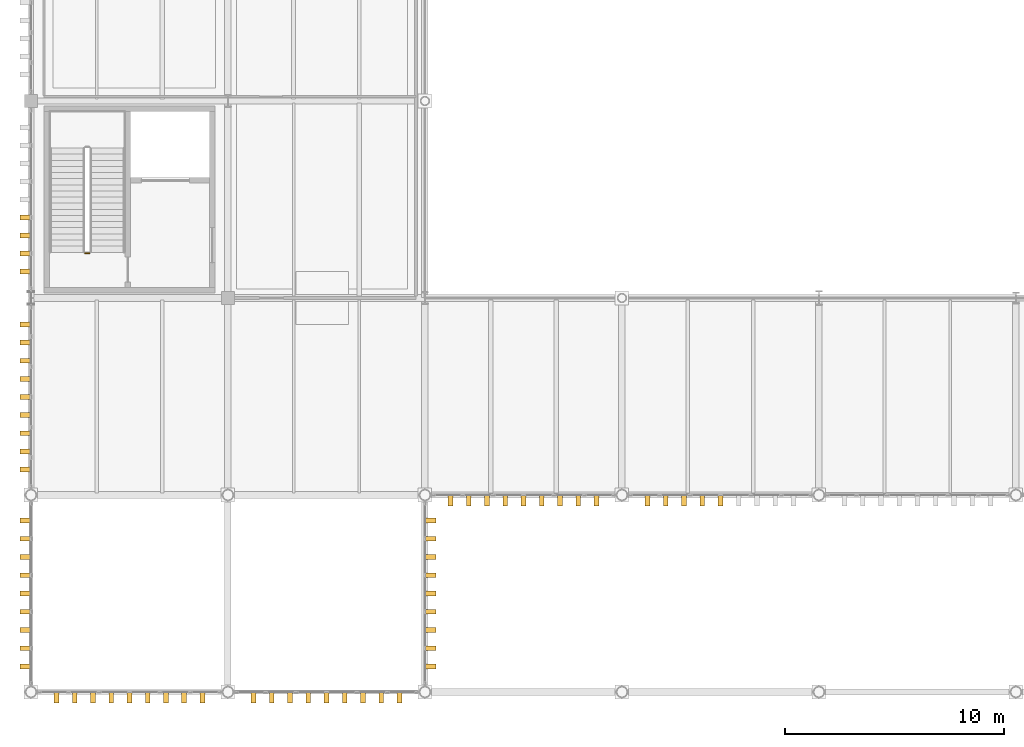
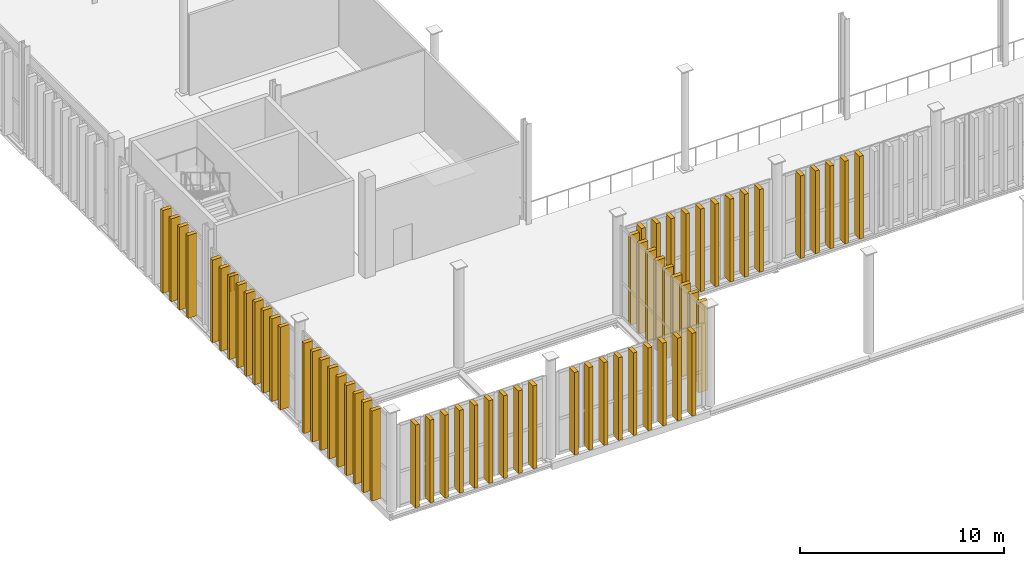
# One storey, part 186 of 211: 63 shading devices, 1 railing.
"""IFC4 building model written with IfcOpenShell, lengths in metres."""

from ifc_helpers import new_model, si_unit, direction, frame, origin, origin_2d, place, context, subcontext, project, spatial, rectangle, circle, extrude, material, type_object, element, save


model = new_model("IFC4")

# Units and contexts
model_context = context("Model", 3, precision=1e-05, world=origin(), true_north=direction((0.0, 1.0)))
body_context = subcontext(model_context, "Body", "Model", "MODEL_VIEW")
ifc_project = project(units=[si_unit("LENGTHUNIT", "METRE"), si_unit("AREAUNIT", "SQUARE_METRE"), si_unit("VOLUMEUNIT", "CUBIC_METRE"), si_unit("PLANEANGLEUNIT", "RADIAN"), si_unit("MASSUNIT", "GRAM", prefix="KILO")], contexts=[model_context])

# Site, building, storey
site_placement = place(None, origin())
site = spatial("IfcSite", under=ifc_project, at=site_placement, CompositionType="ELEMENT")
building_placement = place(site_placement, origin())
building = spatial("IfcBuilding", under=site, at=building_placement, Name="Barlavento Convention Centre", CompositionType="ELEMENT")
storey_placement = place(building_placement, frame((0.0, 0.0, 6.0)))
storey = spatial("IfcBuildingStorey", under=building, at=storey_placement, Name="L01", CompositionType="ELEMENT", Elevation=6.0)

# Railing
ifc_material_1 = material(Name="Stainless steel and laminated glass balustrade", Category="steel")
railing_type = type_object("IfcRailingType", Name="ARC-RAL-BAL-1100", PredefinedType="BALUSTRADE", material=ifc_material_1)
railing_placement = place(storey_placement, frame((2.669921875, 20.0400390625, 0.0)))
element("IfcRailing", 1, at=railing_placement, inside=storey, type_object=railing_type, Name="L01 ST01 stair guard 4", PredefinedType="BALUSTRADE", context=body_context, shape_type="SweptSolid", body=[
    extrude(circle(Radius=0.02392578125, at=origin_2d()), frame((0.0, 0.0, 1.076171875), z_axis=(-1.0, 0.0, 0.0), x_axis=(0.0, -1.0, 0.0)), (0.0, 0.0, 1.0), 0.199951171875),
    extrude(circle(Radius=0.02099609375, at=origin_2d()), origin(), (0.0, 0.0, 1.0), 1.052001953125),
    extrude(circle(Radius=0.02099609375, at=origin_2d()), frame((-0.199951171875, 0.0, 0.0)), (0.0, 0.0, 1.0), 1.052001953125),
])

# Shading devices
ifc_material_2 = material(Name="PVDF white extruded aluminium", Category="aluminium")
shading_device_type = type_object("IfcShadingDeviceType", Name="ARC-SHD-FIN-480", PredefinedType="USERDEFINED", material=ifc_material_2)
for number, where, z_axis, x_axis, name in (
    (2, (1.167236328125, -0.239990234375, 0.0), (0.0, 0.0, 1.0), (1.0, 0.0, 0.0), "White vertical solar shading fin VF01"),
    (3, (2.00048828125, -0.239990234375, 0.0), (0.0, 0.0, 1.0), (1.0, 0.0, 0.0), "White vertical solar shading fin VF01"),
    (4, (2.83349609375, -0.239990234375, 0.0), (0.0, 0.0, 1.0), (1.0, 0.0, 0.0), "White vertical solar shading fin VF01"),
    (5, (3.666748046875, -0.239990234375, 0.0), (0.0, 0.0, 1.0), (1.0, 0.0, 0.0), "White vertical solar shading fin VF01"),
    (6, (4.5, -0.239990234375, 0.0), (0.0, 0.0, 1.0), (1.0, 0.0, 0.0), "White vertical solar shading fin VF01"),
    (7, (5.333251953125, -0.239990234375, 0.0), (0.0, 0.0, 1.0), (1.0, 0.0, 0.0), "White vertical solar shading fin VF01"),
    (8, (6.16650390625, -0.239990234375, 0.0), (0.0, 0.0, 1.0), (1.0, 0.0, 0.0), "White vertical solar shading fin VF01"),
    (9, (6.99951171875, -0.239990234375, 0.0), (0.0, 0.0, 1.0), (1.0, 0.0, 0.0), "White vertical solar shading fin VF01"),
    (10, (7.832763671875, -0.239990234375, 0.0), (0.0, 0.0, 1.0), (1.0, 0.0, 0.0), "White vertical solar shading fin VF01"),
    (11, (10.167236328125, -0.239990234375, 0.0), (0.0, 0.0, 1.0), (1.0, 0.0, 0.0), "White vertical solar shading fin VF01"),
    (12, (11.00048828125, -0.239990234375, 0.0), (0.0, 0.0, 1.0), (1.0, 0.0, 0.0), "White vertical solar shading fin VF01"),
    (13, (11.83349609375, -0.239990234375, 0.0), (0.0, 0.0, 1.0), (1.0, 0.0, 0.0), "White vertical solar shading fin VF01"),
    (14, (12.666748046875, -0.239990234375, 0.0), (0.0, 0.0, 1.0), (1.0, 0.0, 0.0), "White vertical solar shading fin VF01"),
    (15, (13.5, -0.239990234375, 0.0), (0.0, 0.0, 1.0), (1.0, 0.0, 0.0), "White vertical solar shading fin VF01"),
    (16, (14.333251953125, -0.239990234375, 0.0), (0.0, 0.0, 1.0), (1.0, 0.0, 0.0), "White vertical solar shading fin VF01"),
    (17, (15.16650390625, -0.239990234375, 0.0), (0.0, 0.0, 1.0), (1.0, 0.0, 0.0), "White vertical solar shading fin VF01"),
    (18, (15.99951171875, -0.239990234375, 0.0), (0.0, 0.0, 1.0), (1.0, 0.0, 0.0), "White vertical solar shading fin VF01"),
    (19, (16.832763671875, -0.239990234375, 0.0), (0.0, 0.0, 1.0), (1.0, 0.0, 0.0), "White vertical solar shading fin VF01"),
    (20, (19.167236328125, 8.760009765625, 0.0), (0.0, 0.0, 1.0), (1.0, 0.0, 0.0), "White vertical solar shading fin VF01"),
    (21, (20.00048828125, 8.760009765625, 0.0), (0.0, 0.0, 1.0), (1.0, 0.0, 0.0), "White vertical solar shading fin VF01"),
    (22, (20.83349609375, 8.760009765625, 0.0), (0.0, 0.0, 1.0), (1.0, 0.0, 0.0), "White vertical solar shading fin VF01"),
    (23, (21.666748046875, 8.760009765625, 0.0), (0.0, 0.0, 1.0), (1.0, 0.0, 0.0), "White vertical solar shading fin VF01"),
    (24, (22.5, 8.760009765625, 0.0), (0.0, 0.0, 1.0), (1.0, 0.0, 0.0), "White vertical solar shading fin VF01"),
    (25, (23.333251953125, 8.760009765625, 0.0), (0.0, 0.0, 1.0), (1.0, 0.0, 0.0), "White vertical solar shading fin VF01"),
    (26, (24.16650390625, 8.760009765625, 0.0), (0.0, 0.0, 1.0), (1.0, 0.0, 0.0), "White vertical solar shading fin VF01"),
    (27, (24.99951171875, 8.760009765625, 0.0), (0.0, 0.0, 1.0), (1.0, 0.0, 0.0), "White vertical solar shading fin VF01"),
    (28, (25.832763671875, 8.760009765625, 0.0), (0.0, 0.0, 1.0), (1.0, 0.0, 0.0), "White vertical solar shading fin VF01"),
    (29, (28.167236328125, 8.760009765625, 0.0), (0.0, 0.0, 1.0), (1.0, 0.0, 0.0), "White vertical solar shading fin VF01"),
    (30, (29.00048828125, 8.760009765625, 0.0), (0.0, 0.0, 1.0), (1.0, 0.0, 0.0), "White vertical solar shading fin VF01"),
    (31, (29.83349609375, 8.760009765625, 0.0), (0.0, 0.0, 1.0), (1.0, 0.0, 0.0), "White vertical solar shading fin VF01"),
    (32, (30.666748046875, 8.760009765625, 0.0), (0.0, 0.0, 1.0), (1.0, 0.0, 0.0), "White vertical solar shading fin VF01"),
    (33, (31.5, 8.760009765625, 0.0), (0.0, 0.0, 1.0), (1.0, 0.0, 0.0), "White vertical solar shading fin VF01"),
    (34, (-0.239990234375, 10.16259765625, 0.0), (0.0, 0.0, 1.0), (0.0, 1.0, 0.0), "White vertical solar shading fin VF01"),
    (35, (-0.239990234375, 10.9912109375, 0.0), (0.0, 0.0, 1.0), (0.0, 1.0, 0.0), "White vertical solar shading fin VF01"),
    (36, (-0.239990234375, 11.81982421875, 0.0), (0.0, 0.0, 1.0), (0.0, 1.0, 0.0), "White vertical solar shading fin VF01"),
    (37, (-0.239990234375, 12.6484375, 0.0), (0.0, 0.0, 1.0), (0.0, 1.0, 0.0), "White vertical solar shading fin VF01"),
    (38, (-0.239990234375, 13.47705078125, 0.0), (0.0, 0.0, 1.0), (0.0, 1.0, 0.0), "White vertical solar shading fin VF01"),
    (39, (-0.239990234375, 14.3056640625, 0.0), (0.0, 0.0, 1.0), (0.0, 1.0, 0.0), "White vertical solar shading fin VF01"),
    (40, (-0.239990234375, 15.13427734375, 0.0), (0.0, 0.0, 1.0), (0.0, 1.0, 0.0), "White vertical solar shading fin VF01"),
    (41, (-0.239990234375, 15.962890625, 0.0), (0.0, 0.0, 1.0), (0.0, 1.0, 0.0), "White vertical solar shading fin VF01"),
    (42, (-0.239990234375, 16.79150390625, 0.0), (0.0, 0.0, 1.0), (0.0, 1.0, 0.0), "White vertical solar shading fin VF01"),
    (43, (-0.239990234375, 19.2041015625, 0.0), (0.0, 0.0, 1.0), (0.0, 1.0, 0.0), "White vertical solar shading fin VF01"),
    (44, (-0.239990234375, 20.028076171875, 0.0), (0.0, 0.0, 1.0), (0.0, 1.0, 0.0), "White vertical solar shading fin VF01"),
    (45, (-0.239990234375, 20.85205078125, 0.0), (0.0, 0.0, 1.0), (0.0, 1.0, 0.0), "White vertical solar shading fin VF01"),
    (46, (-0.239990234375, 21.676025390625, 0.0), (0.0, 0.0, 1.0), (0.0, 1.0, 0.0), "White vertical solar shading fin VF01"),
):
    element("IfcShadingDevice", number, at=place(storey_placement, frame(where, z_axis=z_axis, x_axis=x_axis)), inside=storey, type_object=shading_device_type, Name=name, ObjectType="FIN", PredefinedType="USERDEFINED", context=body_context, shape_type="SweptSolid", body=[
        extrude(rectangle(XDim=0.219970703125, YDim=0.52001953125, at=origin_2d()), origin(), (0.0, 0.0, 1.0), 4.949951171875),
    ])
for number, where, z_axis, x_axis, name in (
    (47, (-0.239990234375, 1.167236328125, 0.0), (0.0, 0.0, 1.0), (0.0, 1.0, 0.0), "White vertical solar shading fin VF01"),
    (48, (-0.239990234375, 2.00048828125, 0.0), (0.0, 0.0, 1.0), (0.0, 1.0, 0.0), "White vertical solar shading fin VF01"),
    (49, (-0.239990234375, 2.83349609375, 0.0), (0.0, 0.0, 1.0), (0.0, 1.0, 0.0), "White vertical solar shading fin VF01"),
    (50, (-0.239990234375, 3.666748046875, 0.0), (0.0, 0.0, 1.0), (0.0, 1.0, 0.0), "White vertical solar shading fin VF01"),
    (51, (-0.239990234375, 4.5, 0.0), (0.0, 0.0, 1.0), (0.0, 1.0, 0.0), "White vertical solar shading fin VF01"),
    (52, (-0.239990234375, 5.333251953125, 0.0), (0.0, 0.0, 1.0), (0.0, 1.0, 0.0), "White vertical solar shading fin VF01"),
    (53, (-0.239990234375, 6.16650390625, 0.0), (0.0, 0.0, 1.0), (0.0, 1.0, 0.0), "White vertical solar shading fin VF01"),
    (54, (-0.239990234375, 6.99951171875, 0.0), (0.0, 0.0, 1.0), (0.0, 1.0, 0.0), "White vertical solar shading fin VF01"),
    (55, (-0.239990234375, 7.832763671875, 0.0), (0.0, 0.0, 1.0), (0.0, 1.0, 0.0), "White vertical solar shading fin VF01"),
    (56, (18.239990234375, 1.167236328125, 0.0), (0.0, 0.0, 1.0), (0.0, 1.0, 0.0), "White vertical solar shading fin VF01"),
    (57, (18.239990234375, 2.00048828125, 0.0), (0.0, 0.0, 1.0), (0.0, 1.0, 0.0), "White vertical solar shading fin VF01"),
    (58, (18.239990234375, 2.83349609375, 0.0), (0.0, 0.0, 1.0), (0.0, 1.0, 0.0), "White vertical solar shading fin VF01"),
    (59, (18.239990234375, 3.666748046875, 0.0), (0.0, 0.0, 1.0), (0.0, 1.0, 0.0), "White vertical solar shading fin VF01"),
    (60, (18.239990234375, 4.5, 0.0), (0.0, 0.0, 1.0), (0.0, 1.0, 0.0), "White vertical solar shading fin VF01"),
    (61, (18.239990234375, 5.333251953125, 0.0), (0.0, 0.0, 1.0), (0.0, 1.0, 0.0), "White vertical solar shading fin VF01"),
    (62, (18.239990234375, 6.16650390625, 0.0), (0.0, 0.0, 1.0), (0.0, 1.0, 0.0), "White vertical solar shading fin VF01"),
    (63, (18.239990234375, 6.99951171875, 0.0), (0.0, 0.0, 1.0), (0.0, 1.0, 0.0), "White vertical solar shading fin VF01"),
    (64, (18.239990234375, 7.832763671875, 0.0), (0.0, 0.0, 1.0), (0.0, 1.0, 0.0), "White vertical solar shading fin VF01"),
):
    element("IfcShadingDevice", number, at=place(storey_placement, frame(where, z_axis=z_axis, x_axis=x_axis)), inside=storey, type_object=shading_device_type, Name=name, ObjectType="FIN", PredefinedType="USERDEFINED", context=body_context, shape_type="SweptSolid", body=[
        extrude(rectangle(XDim=0.219970703125, YDim=0.52001953125, at=origin_2d()), origin(), (0.0, 0.0, 1.0), 5.39990234375),
    ])

save(model, "model.ifc")
